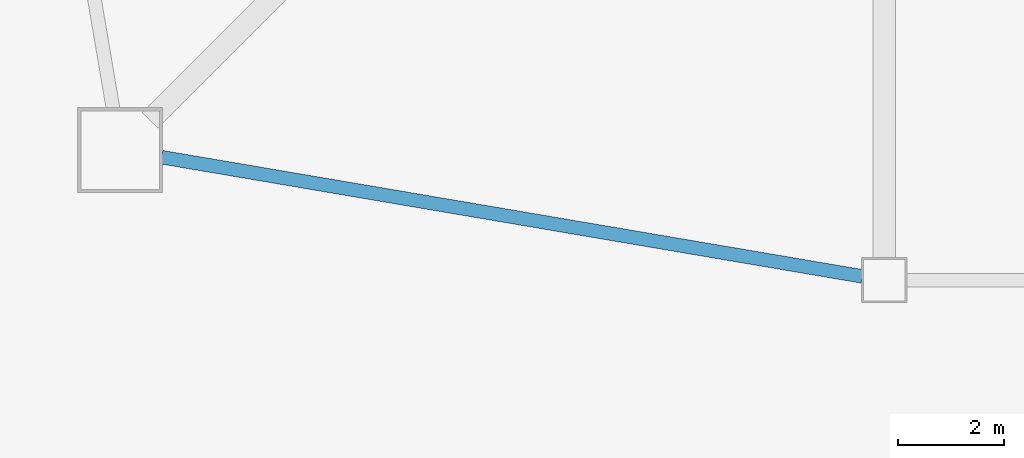
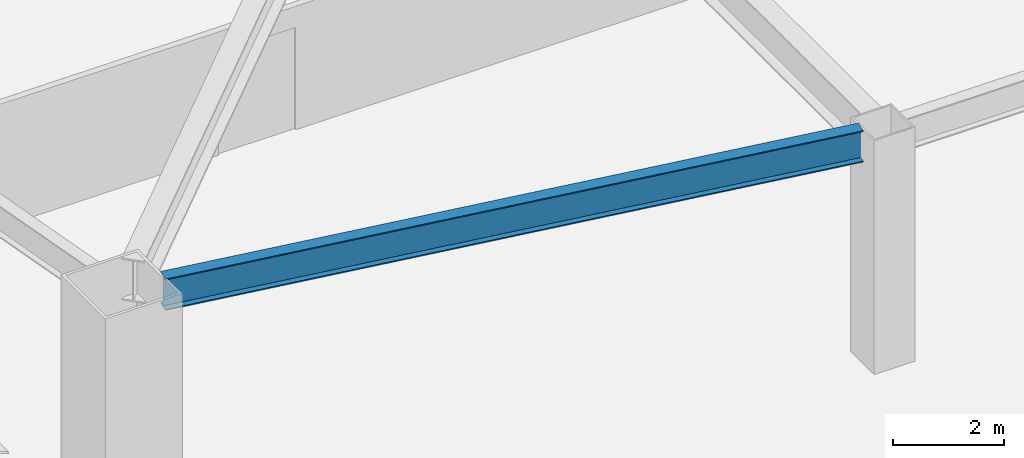
# One storey, part 7 of 48: 1 beam.
"""IFC4 building model written with IfcOpenShell, lengths in metres."""

from ifc_helpers import new_model, si_unit, direction, frame, origin, origin_2d, place, context, subcontext, project, spatial, i_section, extrude, material, material_profile, profile_set, type_object, element, save


model = new_model("IFC4")

# Units and contexts
model_context = context("Model", 3, precision=1e-05, world=origin(), true_north=direction((0.0, 1.0)))
body_context = subcontext(model_context, "Body", "Model", "MODEL_VIEW")
ifc_project = project(units=[si_unit("LENGTHUNIT", "METRE"), si_unit("AREAUNIT", "SQUARE_METRE"), si_unit("VOLUMEUNIT", "CUBIC_METRE"), si_unit("PLANEANGLEUNIT", "RADIAN"), si_unit("MASSUNIT", "GRAM", prefix="KILO")], contexts=[model_context])

# Site, building, storey
site_placement = place(None, origin())
site = spatial("IfcSite", under=ifc_project, at=site_placement, CompositionType="ELEMENT")
building_placement = place(site_placement, origin())
building = spatial("IfcBuilding", under=site, at=building_placement, Name="Tashvorn Skyway Center", CompositionType="ELEMENT")
storey_placement = place(building_placement, frame((0.0, 0.0, 10.199951171875)))
storey = spatial("IfcBuildingStorey", under=building, at=storey_placement, Name="L02", CompositionType="ELEMENT", Elevation=10.199951171875)

# Beam
ifc_material = material(Name="Steel ASTM A992 Grade 50", Category="steel")
ifc_material_profile = material_profile(ifc_material, i_section(OverallWidth=0.256103515625, OverallDepth=0.693115234375, WebThickness=0.014404296875, FlangeThickness=0.023681640625, at=origin_2d()), Name="W27X114")
ifc_profile_set = profile_set([ifc_material_profile], Name="Steel ASTM A992 Grade 50")
beam_type = type_object("IfcBeamType", Name="BM-SPANDREL-W27X114", PredefinedType="SPANDREL", material=ifc_profile_set)
beam_placement = place(storey_placement, frame((22.983642578125, 12.066650390625, 4.79345703125), z_axis=(0.985835025551, -0.16771792509, 0.0), x_axis=(0.16771792509, 0.985835025551, 0.0)))
element("IfcBeam", 1, at=beam_placement, inside=storey, type_object=beam_type, Name="Tower 1 L02 Spandrel Beam 01", PredefinedType="SPANDREL", context=body_context, shape_type="SweptSolid", body=[
    extrude(i_section(OverallWidth=0.256103515625, OverallDepth=0.693115234375, WebThickness=0.014404296875, FlangeThickness=0.023681640625, at=origin_2d()), origin(), (0.0, 0.0, 1.0), 13.39208984375),
])

save(model, "model.ifc")
